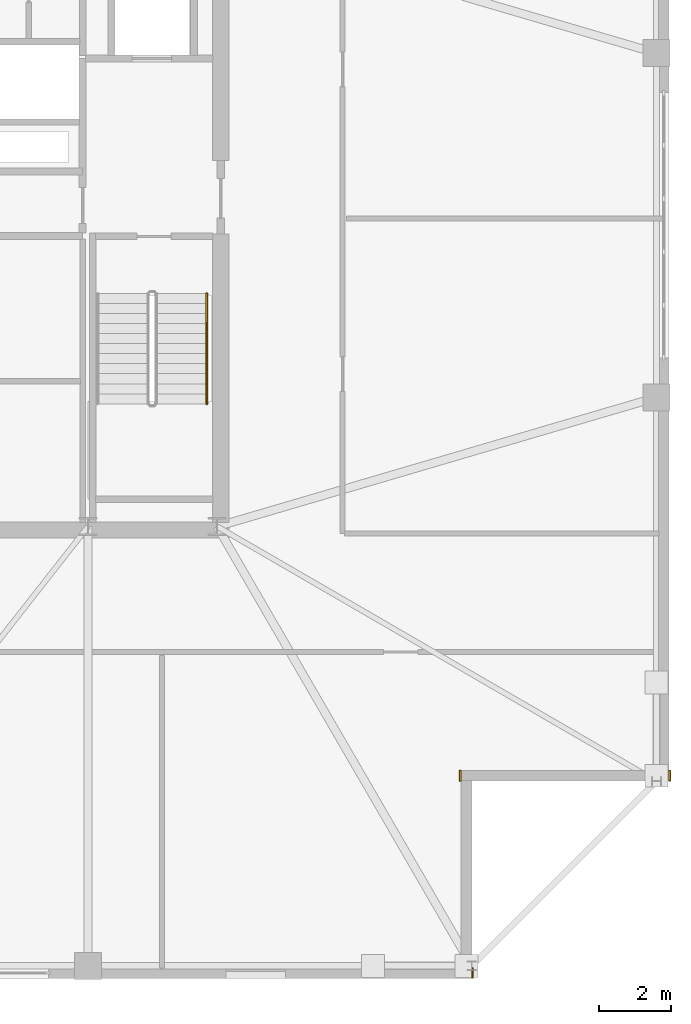
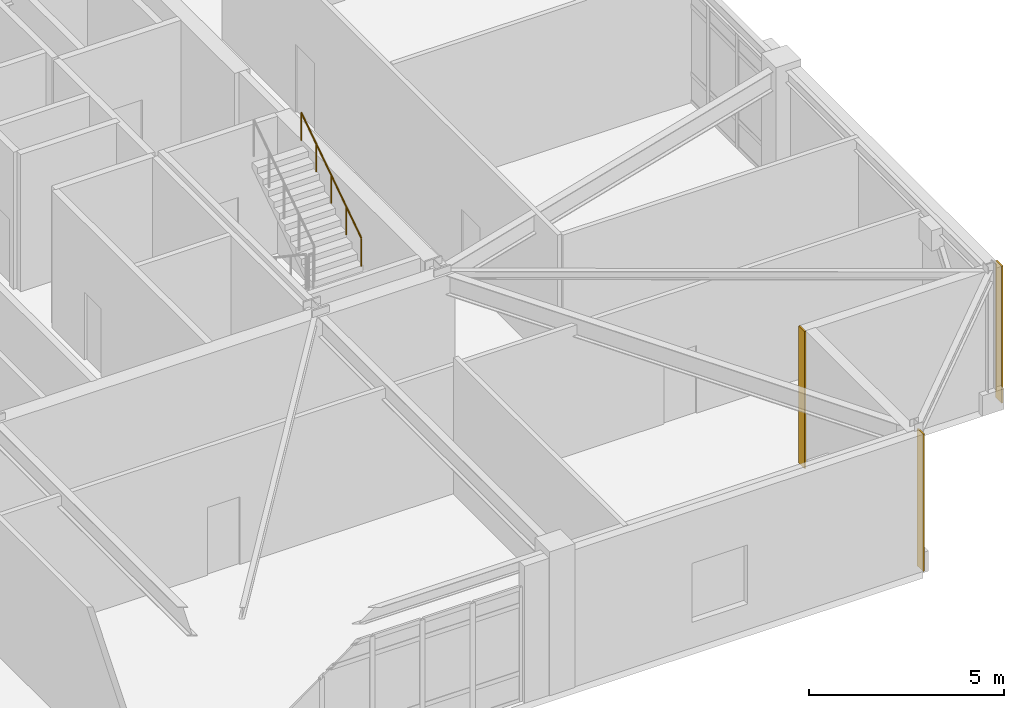
# One storey, part 15 of 16: 3 coverings, 1 railing.
"""IFC4 building model written with IfcOpenShell, lengths in metres."""

from ifc_helpers import new_model, si_unit, direction, frame, frame_2d, origin, origin_2d, place, context, subcontext, project, spatial, rectangle, circle, extrude, material, layer, layer_set, type_object, element, save


model = new_model("IFC4")

# Units and contexts
model_context = context("Model", 3, precision=1e-05, world=origin(), true_north=direction((0.0, 1.0)))
body_context = subcontext(model_context, "Body", "Model", "MODEL_VIEW")
ifc_project = project(units=[si_unit("LENGTHUNIT", "METRE"), si_unit("AREAUNIT", "SQUARE_METRE"), si_unit("VOLUMEUNIT", "CUBIC_METRE"), si_unit("PLANEANGLEUNIT", "RADIAN"), si_unit("MASSUNIT", "GRAM", prefix="KILO")], contexts=[model_context])

# Site, building, storey
site_placement = place(None, origin())
site = spatial("IfcSite", under=ifc_project, at=site_placement, CompositionType="ELEMENT")
building_placement = place(site_placement, origin())
building = spatial("IfcBuilding", under=site, at=building_placement, Name="Cairnveth Concourse Tower", CompositionType="ELEMENT")
storey_placement = place(building_placement, frame((0.0, 0.0, 315.5)))
storey = spatial("IfcBuildingStorey", under=building, at=storey_placement, Name="L87", CompositionType="ELEMENT", Elevation=315.5)

# Coverings
ifc_material_1 = material(Name="Dressed Melbourne Bluestone Cladding", Category="masonry")
ifc_layer = layer(ifc_material_1, 0.050048828125)
ifc_layer_set = layer_set([ifc_layer], Name="Dressed Melbourne Bluestone Cladding")
covering_type = type_object("IfcCoveringType", Name="DRESSED BLUESTONE PLINTH CLADDING 50", PredefinedType="CLADDING", material=ifc_layer_set)
for number, where, z_axis, x_axis, name in (
    (1, (73.02001953125, 23.800048828125, 0.0), (0.0, 0.0, 1.0), (0.0, -1.0, 0.0), "Melbourne Bluestone Corner Quoin L87-1327"),
    (2, (67.179931640625, 23.800048828125, 0.0), (0.0, 0.0, 1.0), (0.0, -1.0, 0.0), "Melbourne Bluestone Corner Quoin L87-1328"),
    (3, (67.52001953125, 18.300048828125, 0.0), (0.0, 0.0, 1.0), (0.0, -1.0, 0.0), "Melbourne Bluestone Corner Quoin L87-1329"),
):
    element("IfcCovering", number, at=place(storey_placement, frame(where, z_axis=z_axis, x_axis=x_axis)), inside=storey, type_object=covering_type, Name=name, PredefinedType="CLADDING", context=body_context, shape_type="SweptSolid", body=[
        extrude(rectangle(XDim=0.300048828125, YDim=0.050048828125, at=frame_2d((0.14990234375, 0.0))), origin(), (0.0, 0.0, 1.0), 4.2900390625),
    ])

# Railing
ifc_material_2 = material(Name="Steel Grade 350", Category="steel")
railing_type = type_object("IfcRailingType", Name="STAIR WALL HANDRAIL 900", PredefinedType="HANDRAIL", material=ifc_material_2)
railing_placement = place(storey_placement, frame((60.110107421875, 34.02001953125, 2.4375)))
element("IfcRailing", 4, at=railing_placement, inside=storey, type_object=railing_type, Name="L87 ST-2 stair handrail 2", PredefinedType="HANDRAIL", context=body_context, shape_type="SweptSolid", body=[
    extrude(circle(Radius=0.02392578125, at=origin_2d()), frame((0.0, 0.0, 0.8759765625), z_axis=(0.0, 0.830913701846, 0.55640131208), x_axis=(-1.0, 0.0, 0.0)), (0.0, 0.0, 1.0), 3.706787109375),
    extrude(circle(Radius=0.02099609375, at=origin_2d()), origin(), (0.0, 0.0, 1.0), 0.851806640625),
    extrude(circle(Radius=0.02099609375, at=origin_2d()), frame((0.0, 0.77001953125, 0.515625)), (0.0, 0.0, 1.0), 0.851806640625),
    extrude(circle(Radius=0.02099609375, at=origin_2d()), frame((0.0, 1.5400390625, 1.03125)), (0.0, 0.0, 1.0), 0.851806640625),
    extrude(circle(Radius=0.02099609375, at=origin_2d()), frame((0.0, 2.31005859375, 1.546875)), (0.0, 0.0, 1.0), 0.851806640625),
    extrude(circle(Radius=0.02099609375, at=origin_2d()), frame((0.0, 3.080078125, 2.0625)), (0.0, 0.0, 1.0), 0.851806640625),
])

save(model, "model.ifc")
